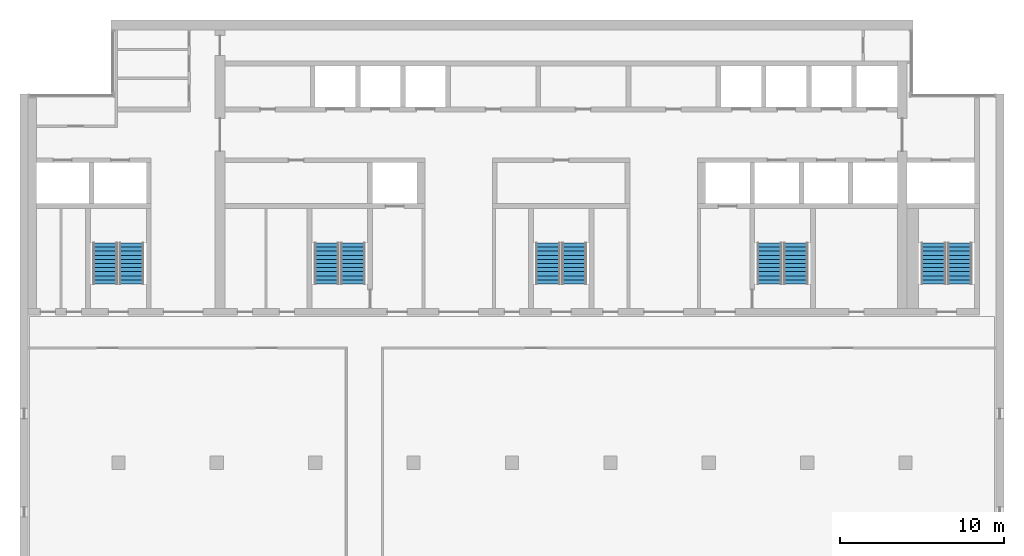
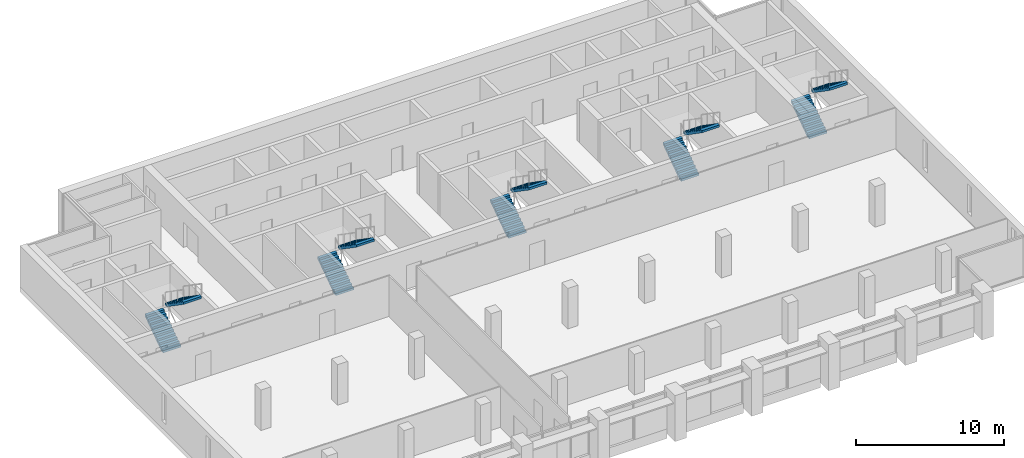
# One storey, part 12 of 14: 10 stair flights, 5 elements without a shape of their own.
"""IFC4 building model written with IfcOpenShell, lengths in metres."""

from ifc_helpers import new_model, si_unit, direction, frame, origin, place, context, subcontext, project, spatial, polyline, outline, extrude, material, type_object, element, aggregate, save


model = new_model("IFC4")

# Units and contexts
model_context = context("Model", 3, precision=1e-05, world=origin(), true_north=direction((0.0, 1.0)))
body_context = subcontext(model_context, "Body", "Model", "MODEL_VIEW")
ifc_project = project(units=[si_unit("LENGTHUNIT", "METRE"), si_unit("AREAUNIT", "SQUARE_METRE"), si_unit("VOLUMEUNIT", "CUBIC_METRE"), si_unit("PLANEANGLEUNIT", "RADIAN"), si_unit("MASSUNIT", "GRAM", prefix="KILO")], contexts=[model_context])

# Site, building, storey
site_placement = place(None, origin())
site = spatial("IfcSite", under=ifc_project, at=site_placement, CompositionType="ELEMENT")
building_placement = place(site_placement, origin())
building = spatial("IfcBuilding", under=site, at=building_placement, Name="Calvaro Tower", CompositionType="ELEMENT")
storey_placement = place(building_placement, frame((0.0, 0.0, 258.35009765625)))
storey = spatial("IfcBuildingStorey", under=building, at=storey_placement, Name="L65", CompositionType="ELEMENT", Elevation=258.35009765625)

# Stair, stair flights
ifc_material_1 = material(Name="Concrete C40/50", Category="concrete")
stair_type = type_object("IfcStairType", Name="Exit stair 1400 2 flights", PredefinedType="HALF_TURN_STAIR", material=ifc_material_1)
stair_1_placement = place(storey_placement, origin())
stair_1 = element("IfcStair", 1, at=stair_1_placement, inside=storey, type_object=stair_type, Name="Exit stair S1", PredefinedType="HALF_TURN_STAIR")
ifc_material_2 = material(Name="Concrete C40/50", Category="concrete")
stair_flight_type = type_object("IfcStairFlightType", Name="Stair flight", PredefinedType="STRAIGHT", material=ifc_material_2)
stair_flight_1_placement = place(storey_placement, frame((11.199951171875, 29.89990234375, 0.0), z_axis=(0.0, 0.0, 1.0), x_axis=(0.0, 1.0, 0.0)))
stair_flight_1 = element("IfcStairFlight", 2, at=stair_flight_1_placement, type_object=stair_flight_type, Name="Exit stair 1, flight 1", NumberOfRisers=11, NumberOfTreads=10, PredefinedType="STRAIGHT", RiserHeight=0.172727273, TreadLength=0.25, context=body_context, shape_type="SweptSolid", body=[
    extrude(outline(polyline([(0.0, 0.0), (0.0, 0.172607421875), (0.25, 0.172607421875), (0.25, 0.345458984375), (0.5, 0.345458984375), (0.5, 0.51806640625), (0.75, 0.51806640625), (0.75, 0.69091796875), (1.0, 0.69091796875), (1.0, 0.863525390625), (1.25, 0.863525390625), (1.25, 1.036376953125), (1.5, 1.036376953125), (1.5, 1.208984375), (1.75, 1.208984375), (1.75, 1.3818359375), (2.0, 1.3818359375), (2.0, 1.554443359375), (2.25, 1.554443359375), (2.25, 1.727294921875), (2.5, 1.727294921875), (2.5, 1.89990234375), (2.5, 1.545166015625), (0.263671875, 0.0), (0.0, 0.0)])), frame((0.0, 0.699951171875, 0.0), z_axis=(0.0, -1.0, 0.0), x_axis=(1.0, 0.0, 0.0)), (0.0, 0.0, 1.0), 1.39990234375),
])
stair_flight_2_placement = place(storey_placement, frame((12.800048828125, 32.39990234375, 1.89990234375), z_axis=(0.0, 0.0, 1.0), x_axis=(0.0, -1.0, 0.0)))
stair_flight_2 = element("IfcStairFlight", 3, at=stair_flight_2_placement, type_object=stair_flight_type, Name="Exit stair 1, flight 2", NumberOfRisers=11, NumberOfTreads=10, PredefinedType="STRAIGHT", RiserHeight=0.172727273, TreadLength=0.25, context=body_context, shape_type="SweptSolid", body=[
    extrude(outline(polyline([(0.0, 0.0), (0.0, 0.172607421875), (0.25, 0.172607421875), (0.25, 0.345458984375), (0.5, 0.345458984375), (0.5, 0.51806640625), (0.75, 0.51806640625), (0.75, 0.69091796875), (1.0, 0.69091796875), (1.0, 0.863525390625), (1.25, 0.863525390625), (1.25, 1.036376953125), (1.5, 1.036376953125), (1.5, 1.208984375), (1.75, 1.208984375), (1.75, 1.3818359375), (2.0, 1.3818359375), (2.0, 1.554443359375), (2.25, 1.554443359375), (2.25, 1.727294921875), (2.5, 1.727294921875), (2.5, 1.89990234375), (2.5, 1.545166015625), (0.263671875, 0.0), (0.0, 0.0)])), frame((0.0, 0.699951171875, 0.0), z_axis=(0.0, -1.0, 0.0), x_axis=(1.0, 0.0, 0.0)), (0.0, 0.0, 1.0), 1.39990234375),
])
aggregate(stair_1, [stair_flight_1, stair_flight_2])

stair_2_placement = place(storey_placement, origin())
stair_2 = element("IfcStair", 4, at=stair_2_placement, inside=storey, type_object=stair_type, Name="Exit stair S2", PredefinedType="HALF_TURN_STAIR")
stair_flight_3_placement = place(storey_placement, frame((24.699951171875, 29.89990234375, 0.0), z_axis=(0.0, 0.0, 1.0), x_axis=(0.0, 1.0, 0.0)))
stair_flight_3 = element("IfcStairFlight", 5, at=stair_flight_3_placement, type_object=stair_flight_type, Name="Exit stair 2, flight 1", NumberOfRisers=11, NumberOfTreads=10, PredefinedType="STRAIGHT", RiserHeight=0.172727273, TreadLength=0.25, context=body_context, shape_type="SweptSolid", body=[
    extrude(outline(polyline([(0.0, 0.0), (0.0, 0.172607421875), (0.25, 0.172607421875), (0.25, 0.345458984375), (0.5, 0.345458984375), (0.5, 0.51806640625), (0.75, 0.51806640625), (0.75, 0.69091796875), (1.0, 0.69091796875), (1.0, 0.863525390625), (1.25, 0.863525390625), (1.25, 1.036376953125), (1.5, 1.036376953125), (1.5, 1.208984375), (1.75, 1.208984375), (1.75, 1.3818359375), (2.0, 1.3818359375), (2.0, 1.554443359375), (2.25, 1.554443359375), (2.25, 1.727294921875), (2.5, 1.727294921875), (2.5, 1.89990234375), (2.5, 1.545166015625), (0.263671875, 0.0), (0.0, 0.0)])), frame((0.0, 0.699951171875, 0.0), z_axis=(0.0, -1.0, 0.0), x_axis=(1.0, 0.0, 0.0)), (0.0, 0.0, 1.0), 1.39990234375),
])
stair_flight_4_placement = place(storey_placement, frame((26.300048828125, 32.39990234375, 1.89990234375), z_axis=(0.0, 0.0, 1.0), x_axis=(0.0, -1.0, 0.0)))
stair_flight_4 = element("IfcStairFlight", 6, at=stair_flight_4_placement, type_object=stair_flight_type, Name="Exit stair 2, flight 2", NumberOfRisers=11, NumberOfTreads=10, PredefinedType="STRAIGHT", RiserHeight=0.172727273, TreadLength=0.25, context=body_context, shape_type="SweptSolid", body=[
    extrude(outline(polyline([(0.0, 0.0), (0.0, 0.172607421875), (0.25, 0.172607421875), (0.25, 0.345458984375), (0.5, 0.345458984375), (0.5, 0.51806640625), (0.75, 0.51806640625), (0.75, 0.69091796875), (1.0, 0.69091796875), (1.0, 0.863525390625), (1.25, 0.863525390625), (1.25, 1.036376953125), (1.5, 1.036376953125), (1.5, 1.208984375), (1.75, 1.208984375), (1.75, 1.3818359375), (2.0, 1.3818359375), (2.0, 1.554443359375), (2.25, 1.554443359375), (2.25, 1.727294921875), (2.5, 1.727294921875), (2.5, 1.89990234375), (2.5, 1.545166015625), (0.263671875, 0.0), (0.0, 0.0)])), frame((0.0, 0.699951171875, 0.0), z_axis=(0.0, -1.0, 0.0), x_axis=(1.0, 0.0, 0.0)), (0.0, 0.0, 1.0), 1.39990234375),
])
aggregate(stair_2, [stair_flight_3, stair_flight_4])

stair_3_placement = place(storey_placement, origin())
stair_3 = element("IfcStair", 7, at=stair_3_placement, inside=storey, type_object=stair_type, Name="Exit stair S3", PredefinedType="HALF_TURN_STAIR")
stair_flight_5_placement = place(storey_placement, frame((38.199951171875, 29.89990234375, 0.0), z_axis=(0.0, 0.0, 1.0), x_axis=(0.0, 1.0, 0.0)))
stair_flight_5 = element("IfcStairFlight", 8, at=stair_flight_5_placement, type_object=stair_flight_type, Name="Exit stair 3, flight 1", NumberOfRisers=11, NumberOfTreads=10, PredefinedType="STRAIGHT", RiserHeight=0.172727273, TreadLength=0.25, context=body_context, shape_type="SweptSolid", body=[
    extrude(outline(polyline([(0.0, 0.0), (0.0, 0.172607421875), (0.25, 0.172607421875), (0.25, 0.345458984375), (0.5, 0.345458984375), (0.5, 0.51806640625), (0.75, 0.51806640625), (0.75, 0.69091796875), (1.0, 0.69091796875), (1.0, 0.863525390625), (1.25, 0.863525390625), (1.25, 1.036376953125), (1.5, 1.036376953125), (1.5, 1.208984375), (1.75, 1.208984375), (1.75, 1.3818359375), (2.0, 1.3818359375), (2.0, 1.554443359375), (2.25, 1.554443359375), (2.25, 1.727294921875), (2.5, 1.727294921875), (2.5, 1.89990234375), (2.5, 1.545166015625), (0.263671875, 0.0), (0.0, 0.0)])), frame((0.0, 0.699951171875, 0.0), z_axis=(0.0, -1.0, 0.0), x_axis=(1.0, 0.0, 0.0)), (0.0, 0.0, 1.0), 1.39990234375),
])
stair_flight_6_placement = place(storey_placement, frame((39.800048828125, 32.39990234375, 1.89990234375), z_axis=(0.0, 0.0, 1.0), x_axis=(0.0, -1.0, 0.0)))
stair_flight_6 = element("IfcStairFlight", 9, at=stair_flight_6_placement, type_object=stair_flight_type, Name="Exit stair 3, flight 2", NumberOfRisers=11, NumberOfTreads=10, PredefinedType="STRAIGHT", RiserHeight=0.172727273, TreadLength=0.25, context=body_context, shape_type="SweptSolid", body=[
    extrude(outline(polyline([(0.0, 0.0), (0.0, 0.172607421875), (0.25, 0.172607421875), (0.25, 0.345458984375), (0.5, 0.345458984375), (0.5, 0.51806640625), (0.75, 0.51806640625), (0.75, 0.69091796875), (1.0, 0.69091796875), (1.0, 0.863525390625), (1.25, 0.863525390625), (1.25, 1.036376953125), (1.5, 1.036376953125), (1.5, 1.208984375), (1.75, 1.208984375), (1.75, 1.3818359375), (2.0, 1.3818359375), (2.0, 1.554443359375), (2.25, 1.554443359375), (2.25, 1.727294921875), (2.5, 1.727294921875), (2.5, 1.89990234375), (2.5, 1.545166015625), (0.263671875, 0.0), (0.0, 0.0)])), frame((0.0, 0.699951171875, 0.0), z_axis=(0.0, -1.0, 0.0), x_axis=(1.0, 0.0, 0.0)), (0.0, 0.0, 1.0), 1.39990234375),
])
aggregate(stair_3, [stair_flight_5, stair_flight_6])

stair_4_placement = place(storey_placement, origin())
stair_4 = element("IfcStair", 10, at=stair_4_placement, inside=storey, type_object=stair_type, Name="Exit stair S4", PredefinedType="HALF_TURN_STAIR")
stair_flight_7_placement = place(storey_placement, frame((51.699951171875, 29.89990234375, 0.0), z_axis=(0.0, 0.0, 1.0), x_axis=(0.0, 1.0, 0.0)))
stair_flight_7 = element("IfcStairFlight", 11, at=stair_flight_7_placement, type_object=stair_flight_type, Name="Exit stair 4, flight 1", NumberOfRisers=11, NumberOfTreads=10, PredefinedType="STRAIGHT", RiserHeight=0.172727273, TreadLength=0.25, context=body_context, shape_type="SweptSolid", body=[
    extrude(outline(polyline([(0.0, 0.0), (0.0, 0.172607421875), (0.25, 0.172607421875), (0.25, 0.345458984375), (0.5, 0.345458984375), (0.5, 0.51806640625), (0.75, 0.51806640625), (0.75, 0.69091796875), (1.0, 0.69091796875), (1.0, 0.863525390625), (1.25, 0.863525390625), (1.25, 1.036376953125), (1.5, 1.036376953125), (1.5, 1.208984375), (1.75, 1.208984375), (1.75, 1.3818359375), (2.0, 1.3818359375), (2.0, 1.554443359375), (2.25, 1.554443359375), (2.25, 1.727294921875), (2.5, 1.727294921875), (2.5, 1.89990234375), (2.5, 1.545166015625), (0.263671875, 0.0), (0.0, 0.0)])), frame((0.0, 0.699951171875, 0.0), z_axis=(0.0, -1.0, 0.0), x_axis=(1.0, 0.0, 0.0)), (0.0, 0.0, 1.0), 1.39990234375),
])
stair_flight_8_placement = place(storey_placement, frame((53.300048828125, 32.39990234375, 1.89990234375), z_axis=(0.0, 0.0, 1.0), x_axis=(0.0, -1.0, 0.0)))
stair_flight_8 = element("IfcStairFlight", 12, at=stair_flight_8_placement, type_object=stair_flight_type, Name="Exit stair 4, flight 2", NumberOfRisers=11, NumberOfTreads=10, PredefinedType="STRAIGHT", RiserHeight=0.172727273, TreadLength=0.25, context=body_context, shape_type="SweptSolid", body=[
    extrude(outline(polyline([(0.0, 0.0), (0.0, 0.172607421875), (0.25, 0.172607421875), (0.25, 0.345458984375), (0.5, 0.345458984375), (0.5, 0.51806640625), (0.75, 0.51806640625), (0.75, 0.69091796875), (1.0, 0.69091796875), (1.0, 0.863525390625), (1.25, 0.863525390625), (1.25, 1.036376953125), (1.5, 1.036376953125), (1.5, 1.208984375), (1.75, 1.208984375), (1.75, 1.3818359375), (2.0, 1.3818359375), (2.0, 1.554443359375), (2.25, 1.554443359375), (2.25, 1.727294921875), (2.5, 1.727294921875), (2.5, 1.89990234375), (2.5, 1.545166015625), (0.263671875, 0.0), (0.0, 0.0)])), frame((0.0, 0.699951171875, 0.0), z_axis=(0.0, -1.0, 0.0), x_axis=(1.0, 0.0, 0.0)), (0.0, 0.0, 1.0), 1.39990234375),
])
aggregate(stair_4, [stair_flight_7, stair_flight_8])

stair_5_placement = place(storey_placement, origin())
stair_5 = element("IfcStair", 13, at=stair_5_placement, inside=storey, type_object=stair_type, Name="Exit stair S5", PredefinedType="HALF_TURN_STAIR")
stair_flight_9_placement = place(storey_placement, frame((61.699951171875, 29.89990234375, 0.0), z_axis=(0.0, 0.0, 1.0), x_axis=(0.0, 1.0, 0.0)))
stair_flight_9 = element("IfcStairFlight", 14, at=stair_flight_9_placement, type_object=stair_flight_type, Name="Exit stair 5, flight 1", NumberOfRisers=11, NumberOfTreads=10, PredefinedType="STRAIGHT", RiserHeight=0.172727273, TreadLength=0.25, context=body_context, shape_type="SweptSolid", body=[
    extrude(outline(polyline([(0.0, 0.0), (0.0, 0.172607421875), (0.25, 0.172607421875), (0.25, 0.345458984375), (0.5, 0.345458984375), (0.5, 0.51806640625), (0.75, 0.51806640625), (0.75, 0.69091796875), (1.0, 0.69091796875), (1.0, 0.863525390625), (1.25, 0.863525390625), (1.25, 1.036376953125), (1.5, 1.036376953125), (1.5, 1.208984375), (1.75, 1.208984375), (1.75, 1.3818359375), (2.0, 1.3818359375), (2.0, 1.554443359375), (2.25, 1.554443359375), (2.25, 1.727294921875), (2.5, 1.727294921875), (2.5, 1.89990234375), (2.5, 1.545166015625), (0.263671875, 0.0), (0.0, 0.0)])), frame((0.0, 0.699951171875, 0.0), z_axis=(0.0, -1.0, 0.0), x_axis=(1.0, 0.0, 0.0)), (0.0, 0.0, 1.0), 1.39990234375),
])
stair_flight_10_placement = place(storey_placement, frame((63.300048828125, 32.39990234375, 1.89990234375), z_axis=(0.0, 0.0, 1.0), x_axis=(0.0, -1.0, 0.0)))
stair_flight_10 = element("IfcStairFlight", 15, at=stair_flight_10_placement, type_object=stair_flight_type, Name="Exit stair 5, flight 2", NumberOfRisers=11, NumberOfTreads=10, PredefinedType="STRAIGHT", RiserHeight=0.172727273, TreadLength=0.25, context=body_context, shape_type="SweptSolid", body=[
    extrude(outline(polyline([(0.0, 0.0), (0.0, 0.172607421875), (0.25, 0.172607421875), (0.25, 0.345458984375), (0.5, 0.345458984375), (0.5, 0.51806640625), (0.75, 0.51806640625), (0.75, 0.69091796875), (1.0, 0.69091796875), (1.0, 0.863525390625), (1.25, 0.863525390625), (1.25, 1.036376953125), (1.5, 1.036376953125), (1.5, 1.208984375), (1.75, 1.208984375), (1.75, 1.3818359375), (2.0, 1.3818359375), (2.0, 1.554443359375), (2.25, 1.554443359375), (2.25, 1.727294921875), (2.5, 1.727294921875), (2.5, 1.89990234375), (2.5, 1.545166015625), (0.263671875, 0.0), (0.0, 0.0)])), frame((0.0, 0.699951171875, 0.0), z_axis=(0.0, -1.0, 0.0), x_axis=(1.0, 0.0, 0.0)), (0.0, 0.0, 1.0), 1.39990234375),
])
aggregate(stair_5, [stair_flight_9, stair_flight_10])

save(model, "model.ifc")
